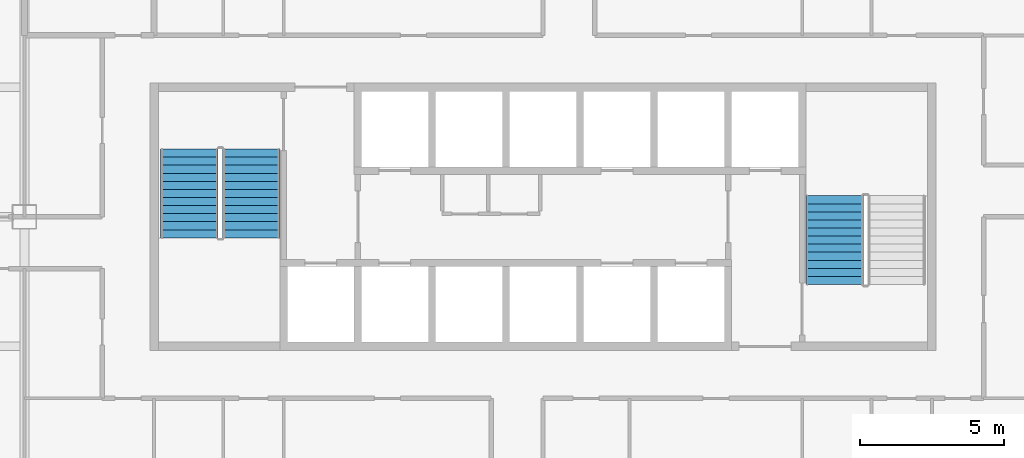
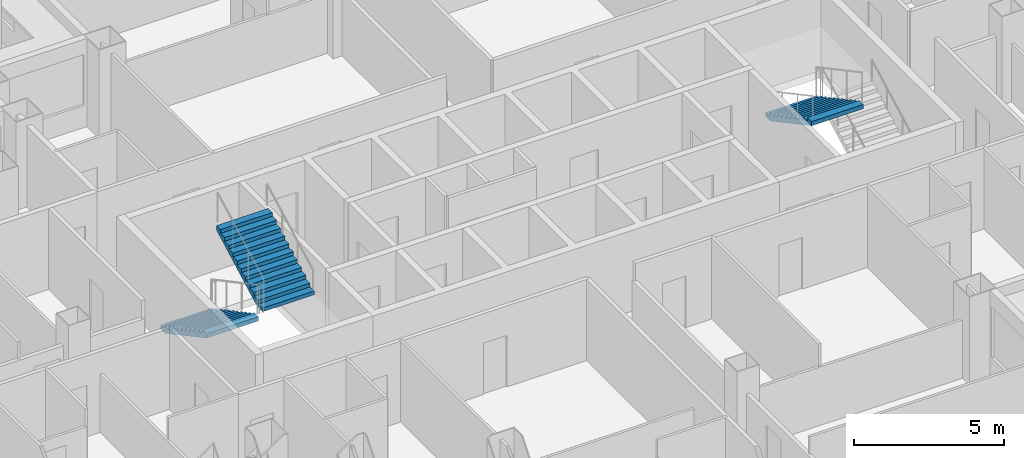
# One storey, part 11 of 19: 3 stair flights, 2 elements without a shape of their own.
"""IFC4 building model written with IfcOpenShell, lengths in metres."""

from ifc_helpers import new_model, si_unit, direction, frame, origin, place, context, subcontext, project, spatial, polygons, material, type_object, element, aggregate, save


model = new_model("IFC4")

# Units and contexts
model_context = context("Model", 3, precision=1e-05, world=origin(), true_north=direction((0.0, 1.0)))
body_context = subcontext(model_context, "Body", "Model", "MODEL_VIEW")
ifc_project = project(units=[si_unit("LENGTHUNIT", "METRE"), si_unit("AREAUNIT", "SQUARE_METRE"), si_unit("VOLUMEUNIT", "CUBIC_METRE"), si_unit("PLANEANGLEUNIT", "RADIAN"), si_unit("MASSUNIT", "GRAM", prefix="KILO")], contexts=[model_context])

# Site, building, storey
site_placement = place(None, origin())
site = spatial("IfcSite", under=ifc_project, at=site_placement, CompositionType="ELEMENT")
building_placement = place(site_placement, origin())
building = spatial("IfcBuilding", under=site, at=building_placement, Name="Caravel Reach Hotel and Residences", CompositionType="ELEMENT")
storey_placement = place(building_placement, frame((0.0, 0.0, 52.800048828125)))
storey = spatial("IfcBuildingStorey", under=building, at=storey_placement, Name="L11", CompositionType="ELEMENT", Elevation=52.800048828125)

# Stair, stair flights
ifc_material_1 = material(Name="Concrete C40", Category="concrete")
stair_type = type_object("IfcStairType", Name="Core stair", PredefinedType="HALF_TURN_STAIR", material=ifc_material_1)
stair_1_placement = place(storey_placement, origin())
stair_1 = element("IfcStair", 1, at=stair_1_placement, inside=storey, type_object=stair_type, Name="L11 Exit stair A", PredefinedType="HALF_TURN_STAIR")
ifc_material_2 = material(Name="Concrete C40", Category="concrete")
stair_flight_type = type_object("IfcStairFlightType", Name="Core stair flight", PredefinedType="STRAIGHT", material=ifc_material_2)
stair_flight_1_placement = place(storey_placement, frame((19.22509765625, 29.35009765625, 0.0), z_axis=(0.0, 0.0, 1.0), x_axis=(0.0, -1.0, 0.0)))
stair_flight_1 = element("IfcStairFlight", 2, at=stair_flight_1_placement, type_object=stair_flight_type, Name="ST-A flight 1", NumberOfRisers=12, NumberOfTreads=11, PredefinedType="STRAIGHT", RiserHeight=0.15, TreadLength=0.28, context=body_context, shape_type="Tessellation", body=[
    polygons([(0.3174408016601862, 1.0, 0.0), (0.3174408016601862, 0.6666666666666667, 0.0), (0.3174408016601862, 0.33333333333333337, 0.0), (0.3174408016601862, 0.0, 0.0), (0.3174408016601862, -0.33333333333333326, 0.0), (0.3174408016601862, -0.6666666666666667, 0.0), (0.3174408016601862, -1.0, 0.0), (3.081, 1.0, 1.479942427682043), (3.081, 0.6666666666666667, 1.479942427682043), (3.081, 0.33333333333333337, 1.479942427682043), (3.081, 0.0, 1.479942427682043), (3.081, -0.33333333333333326, 1.479942427682043), (3.081, -0.6666666666666667, 1.479942427682043), (3.081, -1.0, 1.479942427682043), (3.081, 1.0, 1.65), (3.081, 0.6666666666666667, 1.65), (3.081, 0.33333333333333337, 1.65), (3.081, 0.0, 1.65), (3.081, -0.33333333333333326, 1.65), (3.081, -0.6666666666666667, 1.65), (3.081, -1.0, 1.65), (2.8000000000000003, 1.0, 1.65), (2.8000000000000003, 0.6666666666666667, 1.65), (2.8000000000000003, 0.33333333333333337, 1.65), (2.8000000000000003, 0.0, 1.65), (2.8000000000000003, -0.33333333333333326, 1.65), (2.8000000000000003, -0.6666666666666667, 1.65), (2.8000000000000003, -1.0, 1.65), (2.8000000000000003, 1.0, 1.5), (2.8000000000000003, 0.6666666666666667, 1.5), (2.8000000000000003, 0.33333333333333337, 1.5), (2.8000000000000003, 0.0, 1.5), (2.8000000000000003, -0.33333333333333326, 1.5), (2.8000000000000003, -0.6666666666666667, 1.5), (2.8000000000000003, -1.0, 1.5), (2.5200000000000005, 1.0, 1.5), (2.5200000000000005, 0.6666666666666667, 1.5), (2.5200000000000005, 0.33333333333333337, 1.5), (2.5200000000000005, 0.0, 1.5), (2.5200000000000005, -0.33333333333333326, 1.5), (2.5200000000000005, -0.6666666666666667, 1.5), (2.5200000000000005, -1.0, 1.5), (2.5200000000000005, 1.0, 1.3499999999999999), (2.5200000000000005, 0.6666666666666667, 1.3499999999999999), (2.5200000000000005, 0.33333333333333337, 1.3499999999999999), (2.5200000000000005, 0.0, 1.3499999999999999), (2.5200000000000005, -0.33333333333333326, 1.3499999999999999), (2.5200000000000005, -0.6666666666666667, 1.3499999999999999), (2.5200000000000005, -1.0, 1.3499999999999999), (2.24, 1.0, 1.3499999999999999), (2.24, 0.6666666666666667, 1.3499999999999999), (2.24, 0.33333333333333337, 1.3499999999999999), (2.24, 0.0, 1.3499999999999999), (2.24, -0.33333333333333326, 1.3499999999999999), (2.24, -0.6666666666666667, 1.3499999999999999), (2.24, -1.0, 1.3499999999999999), (2.24, 1.0, 1.2), (2.24, 0.6666666666666667, 1.2), (2.24, 0.33333333333333337, 1.2), (2.24, 0.0, 1.2), (2.24, -0.33333333333333326, 1.2), (2.24, -0.6666666666666667, 1.2), (2.24, -1.0, 1.2), (1.9600000000000002, 1.0, 1.2), (1.9600000000000002, 0.6666666666666667, 1.2), (1.9600000000000002, 0.33333333333333337, 1.2), (1.9600000000000002, 0.0, 1.2), (1.9600000000000002, -0.33333333333333326, 1.2), (1.9600000000000002, -0.6666666666666667, 1.2), (1.9600000000000002, -1.0, 1.2), (1.9600000000000002, 1.0, 1.05), (1.9600000000000002, 0.6666666666666667, 1.05), (1.9600000000000002, 0.33333333333333337, 1.05), (1.9600000000000002, 0.0, 1.05), (1.9600000000000002, -0.33333333333333326, 1.05), (1.9600000000000002, -0.6666666666666667, 1.05), (1.9600000000000002, -1.0, 1.05), (1.6800000000000002, 1.0, 1.05), (1.6800000000000002, 0.6666666666666667, 1.05), (1.6800000000000002, 0.33333333333333337, 1.05), (1.6800000000000002, 0.0, 1.05), (1.6800000000000002, -0.33333333333333326, 1.05), (1.6800000000000002, -0.6666666666666667, 1.05), (1.6800000000000002, -1.0, 1.05), (1.6800000000000002, 1.0, 0.8999999999999999), (1.6800000000000002, 0.6666666666666667, 0.8999999999999999), (1.6800000000000002, 0.33333333333333337, 0.8999999999999999), (1.6800000000000002, 0.0, 0.8999999999999999), (1.6800000000000002, -0.33333333333333326, 0.8999999999999999), (1.6800000000000002, -0.6666666666666667, 0.8999999999999999), (1.6800000000000002, -1.0, 0.8999999999999999), (1.4000000000000001, 1.0, 0.8999999999999999), (1.4000000000000001, 0.6666666666666667, 0.8999999999999999), (1.4000000000000001, 0.33333333333333337, 0.8999999999999999), (1.4000000000000001, 0.0, 0.8999999999999999), (1.4000000000000001, -0.33333333333333326, 0.8999999999999999), (1.4000000000000001, -0.6666666666666667, 0.8999999999999999), (1.4000000000000001, -1.0, 0.8999999999999999), (1.4000000000000001, 1.0, 0.75), (1.4000000000000001, 0.6666666666666667, 0.75), (1.4000000000000001, 0.33333333333333337, 0.75), (1.4000000000000001, 0.0, 0.75), (1.4000000000000001, -0.33333333333333326, 0.75), (1.4000000000000001, -0.6666666666666667, 0.75), (1.4000000000000001, -1.0, 0.75), (1.12, 1.0, 0.75), (1.12, 0.6666666666666667, 0.75), (1.12, 0.33333333333333337, 0.75), (1.12, 0.0, 0.75), (1.12, -0.33333333333333326, 0.75), (1.12, -0.6666666666666667, 0.75), (1.12, -1.0, 0.75), (1.12, 1.0, 0.6), (1.12, 0.6666666666666667, 0.6), (1.12, 0.33333333333333337, 0.6), (1.12, 0.0, 0.6), (1.12, -0.33333333333333326, 0.6), (1.12, -0.6666666666666667, 0.6), (1.12, -1.0, 0.6), (0.8400000000000001, 1.0, 0.6), (0.8400000000000001, 0.6666666666666667, 0.6), (0.8400000000000001, 0.33333333333333337, 0.6), (0.8400000000000001, 0.0, 0.6), (0.8400000000000001, -0.33333333333333326, 0.6), (0.8400000000000001, -0.6666666666666667, 0.6), (0.8400000000000001, -1.0, 0.6), (0.8400000000000001, 1.0, 0.44999999999999996), (0.8400000000000001, 0.6666666666666667, 0.44999999999999996), (0.8400000000000001, 0.33333333333333337, 0.44999999999999996), (0.8400000000000001, 0.0, 0.44999999999999996), (0.8400000000000001, -0.33333333333333326, 0.44999999999999996), (0.8400000000000001, -0.6666666666666667, 0.44999999999999996), (0.8400000000000001, -1.0, 0.44999999999999996), (0.56, 1.0, 0.44999999999999996), (0.56, 0.6666666666666667, 0.44999999999999996), (0.56, 0.33333333333333337, 0.44999999999999996), (0.56, 0.0, 0.44999999999999996), (0.56, -0.33333333333333326, 0.44999999999999996), (0.56, -0.6666666666666667, 0.44999999999999996), (0.56, -1.0, 0.44999999999999996), (0.56, 1.0, 0.3), (0.56, 0.6666666666666667, 0.3), (0.56, 0.33333333333333337, 0.3), (0.56, 0.0, 0.3), (0.56, -0.33333333333333326, 0.3), (0.56, -0.6666666666666667, 0.3), (0.56, -1.0, 0.3), (0.28, 1.0, 0.3), (0.28, 0.6666666666666667, 0.3), (0.28, 0.33333333333333337, 0.3), (0.28, 0.0, 0.3), (0.28, -0.33333333333333326, 0.3), (0.28, -0.6666666666666667, 0.3), (0.28, -1.0, 0.3), (0.28, 1.0, 0.15), (0.28, 0.6666666666666667, 0.15), (0.28, 0.33333333333333337, 0.15), (0.28, 0.0, 0.15), (0.28, -0.33333333333333326, 0.15), (0.28, -0.6666666666666667, 0.15), (0.28, -1.0, 0.15), (-0.001, 1.0, 0.15), (-0.001, 0.6666666666666667, 0.15), (-0.001, 0.33333333333333337, 0.15), (-0.001, 0.0, 0.15), (-0.001, -0.33333333333333326, 0.15), (-0.001, -0.6666666666666667, 0.15), (-0.001, -1.0, 0.15), (-0.001, 1.0, 0.0), (-0.001, 0.6666666666666667, 0.0), (-0.001, 0.33333333333333337, 0.0), (-0.001, 0.0, 0.0), (-0.001, -0.33333333333333326, 0.0), (-0.001, -0.6666666666666667, 0.0), (-0.001, -1.0, 0.0)], [[[169, 162, 155, 148, 141, 134, 127, 120, 113, 106, 99, 92, 85, 78, 71, 64, 57, 50, 43, 36, 29, 22, 15, 8, 1]], [[7, 14, 21, 28, 35, 42, 49, 56, 63, 70, 77, 84, 91, 98, 105, 112, 119, 126, 133, 140, 147, 154, 161, 168, 175]], [[1, 8, 9, 2]], [[2, 9, 10, 3]], [[3, 10, 11, 4]], [[4, 11, 12, 5]], [[5, 12, 13, 6]], [[6, 13, 14, 7]], [[8, 15, 16, 9]], [[9, 16, 17, 10]], [[10, 17, 18, 11]], [[11, 18, 19, 12]], [[12, 19, 20, 13]], [[13, 20, 21, 14]], [[15, 22, 23, 16]], [[16, 23, 24, 17]], [[17, 24, 25, 18]], [[18, 25, 26, 19]], [[19, 26, 27, 20]], [[20, 27, 28, 21]], [[22, 29, 30, 23]], [[23, 30, 31, 24]], [[24, 31, 32, 25]], [[25, 32, 33, 26]], [[26, 33, 34, 27]], [[27, 34, 35, 28]], [[29, 36, 37, 30]], [[30, 37, 38, 31]], [[31, 38, 39, 32]], [[32, 39, 40, 33]], [[33, 40, 41, 34]], [[34, 41, 42, 35]], [[36, 43, 44, 37]], [[37, 44, 45, 38]], [[38, 45, 46, 39]], [[39, 46, 47, 40]], [[40, 47, 48, 41]], [[41, 48, 49, 42]], [[43, 50, 51, 44]], [[44, 51, 52, 45]], [[45, 52, 53, 46]], [[46, 53, 54, 47]], [[47, 54, 55, 48]], [[48, 55, 56, 49]], [[50, 57, 58, 51]], [[51, 58, 59, 52]], [[52, 59, 60, 53]], [[53, 60, 61, 54]], [[54, 61, 62, 55]], [[55, 62, 63, 56]], [[57, 64, 65, 58]], [[58, 65, 66, 59]], [[59, 66, 67, 60]], [[60, 67, 68, 61]], [[61, 68, 69, 62]], [[62, 69, 70, 63]], [[64, 71, 72, 65]], [[65, 72, 73, 66]], [[66, 73, 74, 67]], [[67, 74, 75, 68]], [[68, 75, 76, 69]], [[69, 76, 77, 70]], [[71, 78, 79, 72]], [[72, 79, 80, 73]], [[73, 80, 81, 74]], [[74, 81, 82, 75]], [[75, 82, 83, 76]], [[76, 83, 84, 77]], [[78, 85, 86, 79]], [[79, 86, 87, 80]], [[80, 87, 88, 81]], [[81, 88, 89, 82]], [[82, 89, 90, 83]], [[83, 90, 91, 84]], [[85, 92, 93, 86]], [[86, 93, 94, 87]], [[87, 94, 95, 88]], [[88, 95, 96, 89]], [[89, 96, 97, 90]], [[90, 97, 98, 91]], [[92, 99, 100, 93]], [[93, 100, 101, 94]], [[94, 101, 102, 95]], [[95, 102, 103, 96]], [[96, 103, 104, 97]], [[97, 104, 105, 98]], [[99, 106, 107, 100]], [[100, 107, 108, 101]], [[101, 108, 109, 102]], [[102, 109, 110, 103]], [[103, 110, 111, 104]], [[104, 111, 112, 105]], [[106, 113, 114, 107]], [[107, 114, 115, 108]], [[108, 115, 116, 109]], [[109, 116, 117, 110]], [[110, 117, 118, 111]], [[111, 118, 119, 112]], [[113, 120, 121, 114]], [[114, 121, 122, 115]], [[115, 122, 123, 116]], [[116, 123, 124, 117]], [[117, 124, 125, 118]], [[118, 125, 126, 119]], [[120, 127, 128, 121]], [[121, 128, 129, 122]], [[122, 129, 130, 123]], [[123, 130, 131, 124]], [[124, 131, 132, 125]], [[125, 132, 133, 126]], [[127, 134, 135, 128]], [[128, 135, 136, 129]], [[129, 136, 137, 130]], [[130, 137, 138, 131]], [[131, 138, 139, 132]], [[132, 139, 140, 133]], [[134, 141, 142, 135]], [[135, 142, 143, 136]], [[136, 143, 144, 137]], [[137, 144, 145, 138]], [[138, 145, 146, 139]], [[139, 146, 147, 140]], [[141, 148, 149, 142]], [[142, 149, 150, 143]], [[143, 150, 151, 144]], [[144, 151, 152, 145]], [[145, 152, 153, 146]], [[146, 153, 154, 147]], [[148, 155, 156, 149]], [[149, 156, 157, 150]], [[150, 157, 158, 151]], [[151, 158, 159, 152]], [[152, 159, 160, 153]], [[153, 160, 161, 154]], [[155, 162, 163, 156]], [[156, 163, 164, 157]], [[157, 164, 165, 158]], [[158, 165, 166, 159]], [[159, 166, 167, 160]], [[160, 167, 168, 161]], [[162, 169, 170, 163]], [[163, 170, 171, 164]], [[164, 171, 172, 165]], [[165, 172, 173, 166]], [[166, 173, 174, 167]], [[167, 174, 175, 168]], [[169, 1, 2, 170]], [[170, 2, 3, 171]], [[171, 3, 4, 172]], [[172, 4, 5, 173]], [[173, 5, 6, 174]], [[174, 6, 7, 175]]], closed=True),
])
stair_flight_2_placement = place(storey_placement, frame((21.375, 26.27001953125, 1.800048828125), z_axis=(0.0, 0.0, 1.0), x_axis=(0.0, 1.0, 0.0)))
stair_flight_2 = element("IfcStairFlight", 3, at=stair_flight_2_placement, type_object=stair_flight_type, Name="ST-A flight 2", NumberOfRisers=12, NumberOfTreads=11, PredefinedType="STRAIGHT", RiserHeight=0.15, TreadLength=0.28, context=body_context, shape_type="Tessellation", body=[
    polygons([(0.3174408016601862, 1.0, 0.0), (0.3174408016601862, 0.6666666666666667, 0.0), (0.3174408016601862, 0.33333333333333337, 0.0), (0.3174408016601862, 0.0, 0.0), (0.3174408016601862, -0.33333333333333326, 0.0), (0.3174408016601862, -0.6666666666666667, 0.0), (0.3174408016601862, -1.0, 0.0), (3.081, 1.0, 1.479942427682043), (3.081, 0.6666666666666667, 1.479942427682043), (3.081, 0.33333333333333337, 1.479942427682043), (3.081, 0.0, 1.479942427682043), (3.081, -0.33333333333333326, 1.479942427682043), (3.081, -0.6666666666666667, 1.479942427682043), (3.081, -1.0, 1.479942427682043), (3.081, 1.0, 1.65), (3.081, 0.6666666666666667, 1.65), (3.081, 0.33333333333333337, 1.65), (3.081, 0.0, 1.65), (3.081, -0.33333333333333326, 1.65), (3.081, -0.6666666666666667, 1.65), (3.081, -1.0, 1.65), (2.8000000000000003, 1.0, 1.65), (2.8000000000000003, 0.6666666666666667, 1.65), (2.8000000000000003, 0.33333333333333337, 1.65), (2.8000000000000003, 0.0, 1.65), (2.8000000000000003, -0.33333333333333326, 1.65), (2.8000000000000003, -0.6666666666666667, 1.65), (2.8000000000000003, -1.0, 1.65), (2.8000000000000003, 1.0, 1.5), (2.8000000000000003, 0.6666666666666667, 1.5), (2.8000000000000003, 0.33333333333333337, 1.5), (2.8000000000000003, 0.0, 1.5), (2.8000000000000003, -0.33333333333333326, 1.5), (2.8000000000000003, -0.6666666666666667, 1.5), (2.8000000000000003, -1.0, 1.5), (2.5200000000000005, 1.0, 1.5), (2.5200000000000005, 0.6666666666666667, 1.5), (2.5200000000000005, 0.33333333333333337, 1.5), (2.5200000000000005, 0.0, 1.5), (2.5200000000000005, -0.33333333333333326, 1.5), (2.5200000000000005, -0.6666666666666667, 1.5), (2.5200000000000005, -1.0, 1.5), (2.5200000000000005, 1.0, 1.3499999999999999), (2.5200000000000005, 0.6666666666666667, 1.3499999999999999), (2.5200000000000005, 0.33333333333333337, 1.3499999999999999), (2.5200000000000005, 0.0, 1.3499999999999999), (2.5200000000000005, -0.33333333333333326, 1.3499999999999999), (2.5200000000000005, -0.6666666666666667, 1.3499999999999999), (2.5200000000000005, -1.0, 1.3499999999999999), (2.24, 1.0, 1.3499999999999999), (2.24, 0.6666666666666667, 1.3499999999999999), (2.24, 0.33333333333333337, 1.3499999999999999), (2.24, 0.0, 1.3499999999999999), (2.24, -0.33333333333333326, 1.3499999999999999), (2.24, -0.6666666666666667, 1.3499999999999999), (2.24, -1.0, 1.3499999999999999), (2.24, 1.0, 1.2), (2.24, 0.6666666666666667, 1.2), (2.24, 0.33333333333333337, 1.2), (2.24, 0.0, 1.2), (2.24, -0.33333333333333326, 1.2), (2.24, -0.6666666666666667, 1.2), (2.24, -1.0, 1.2), (1.9600000000000002, 1.0, 1.2), (1.9600000000000002, 0.6666666666666667, 1.2), (1.9600000000000002, 0.33333333333333337, 1.2), (1.9600000000000002, 0.0, 1.2), (1.9600000000000002, -0.33333333333333326, 1.2), (1.9600000000000002, -0.6666666666666667, 1.2), (1.9600000000000002, -1.0, 1.2), (1.9600000000000002, 1.0, 1.05), (1.9600000000000002, 0.6666666666666667, 1.05), (1.9600000000000002, 0.33333333333333337, 1.05), (1.9600000000000002, 0.0, 1.05), (1.9600000000000002, -0.33333333333333326, 1.05), (1.9600000000000002, -0.6666666666666667, 1.05), (1.9600000000000002, -1.0, 1.05), (1.6800000000000002, 1.0, 1.05), (1.6800000000000002, 0.6666666666666667, 1.05), (1.6800000000000002, 0.33333333333333337, 1.05), (1.6800000000000002, 0.0, 1.05), (1.6800000000000002, -0.33333333333333326, 1.05), (1.6800000000000002, -0.6666666666666667, 1.05), (1.6800000000000002, -1.0, 1.05), (1.6800000000000002, 1.0, 0.8999999999999999), (1.6800000000000002, 0.6666666666666667, 0.8999999999999999), (1.6800000000000002, 0.33333333333333337, 0.8999999999999999), (1.6800000000000002, 0.0, 0.8999999999999999), (1.6800000000000002, -0.33333333333333326, 0.8999999999999999), (1.6800000000000002, -0.6666666666666667, 0.8999999999999999), (1.6800000000000002, -1.0, 0.8999999999999999), (1.4000000000000001, 1.0, 0.8999999999999999), (1.4000000000000001, 0.6666666666666667, 0.8999999999999999), (1.4000000000000001, 0.33333333333333337, 0.8999999999999999), (1.4000000000000001, 0.0, 0.8999999999999999), (1.4000000000000001, -0.33333333333333326, 0.8999999999999999), (1.4000000000000001, -0.6666666666666667, 0.8999999999999999), (1.4000000000000001, -1.0, 0.8999999999999999), (1.4000000000000001, 1.0, 0.75), (1.4000000000000001, 0.6666666666666667, 0.75), (1.4000000000000001, 0.33333333333333337, 0.75), (1.4000000000000001, 0.0, 0.75), (1.4000000000000001, -0.33333333333333326, 0.75), (1.4000000000000001, -0.6666666666666667, 0.75), (1.4000000000000001, -1.0, 0.75), (1.12, 1.0, 0.75), (1.12, 0.6666666666666667, 0.75), (1.12, 0.33333333333333337, 0.75), (1.12, 0.0, 0.75), (1.12, -0.33333333333333326, 0.75), (1.12, -0.6666666666666667, 0.75), (1.12, -1.0, 0.75), (1.12, 1.0, 0.6), (1.12, 0.6666666666666667, 0.6), (1.12, 0.33333333333333337, 0.6), (1.12, 0.0, 0.6), (1.12, -0.33333333333333326, 0.6), (1.12, -0.6666666666666667, 0.6), (1.12, -1.0, 0.6), (0.8400000000000001, 1.0, 0.6), (0.8400000000000001, 0.6666666666666667, 0.6), (0.8400000000000001, 0.33333333333333337, 0.6), (0.8400000000000001, 0.0, 0.6), (0.8400000000000001, -0.33333333333333326, 0.6), (0.8400000000000001, -0.6666666666666667, 0.6), (0.8400000000000001, -1.0, 0.6), (0.8400000000000001, 1.0, 0.44999999999999996), (0.8400000000000001, 0.6666666666666667, 0.44999999999999996), (0.8400000000000001, 0.33333333333333337, 0.44999999999999996), (0.8400000000000001, 0.0, 0.44999999999999996), (0.8400000000000001, -0.33333333333333326, 0.44999999999999996), (0.8400000000000001, -0.6666666666666667, 0.44999999999999996), (0.8400000000000001, -1.0, 0.44999999999999996), (0.56, 1.0, 0.44999999999999996), (0.56, 0.6666666666666667, 0.44999999999999996), (0.56, 0.33333333333333337, 0.44999999999999996), (0.56, 0.0, 0.44999999999999996), (0.56, -0.33333333333333326, 0.44999999999999996), (0.56, -0.6666666666666667, 0.44999999999999996), (0.56, -1.0, 0.44999999999999996), (0.56, 1.0, 0.3), (0.56, 0.6666666666666667, 0.3), (0.56, 0.33333333333333337, 0.3), (0.56, 0.0, 0.3), (0.56, -0.33333333333333326, 0.3), (0.56, -0.6666666666666667, 0.3), (0.56, -1.0, 0.3), (0.28, 1.0, 0.3), (0.28, 0.6666666666666667, 0.3), (0.28, 0.33333333333333337, 0.3), (0.28, 0.0, 0.3), (0.28, -0.33333333333333326, 0.3), (0.28, -0.6666666666666667, 0.3), (0.28, -1.0, 0.3), (0.28, 1.0, 0.15), (0.28, 0.6666666666666667, 0.15), (0.28, 0.33333333333333337, 0.15), (0.28, 0.0, 0.15), (0.28, -0.33333333333333326, 0.15), (0.28, -0.6666666666666667, 0.15), (0.28, -1.0, 0.15), (-0.001, 1.0, 0.15), (-0.001, 0.6666666666666667, 0.15), (-0.001, 0.33333333333333337, 0.15), (-0.001, 0.0, 0.15), (-0.001, -0.33333333333333326, 0.15), (-0.001, -0.6666666666666667, 0.15), (-0.001, -1.0, 0.15), (-0.001, 1.0, 0.0), (-0.001, 0.6666666666666667, 0.0), (-0.001, 0.33333333333333337, 0.0), (-0.001, 0.0, 0.0), (-0.001, -0.33333333333333326, 0.0), (-0.001, -0.6666666666666667, 0.0), (-0.001, -1.0, 0.0)], [[[169, 162, 155, 148, 141, 134, 127, 120, 113, 106, 99, 92, 85, 78, 71, 64, 57, 50, 43, 36, 29, 22, 15, 8, 1]], [[7, 14, 21, 28, 35, 42, 49, 56, 63, 70, 77, 84, 91, 98, 105, 112, 119, 126, 133, 140, 147, 154, 161, 168, 175]], [[1, 8, 9, 2]], [[2, 9, 10, 3]], [[3, 10, 11, 4]], [[4, 11, 12, 5]], [[5, 12, 13, 6]], [[6, 13, 14, 7]], [[8, 15, 16, 9]], [[9, 16, 17, 10]], [[10, 17, 18, 11]], [[11, 18, 19, 12]], [[12, 19, 20, 13]], [[13, 20, 21, 14]], [[15, 22, 23, 16]], [[16, 23, 24, 17]], [[17, 24, 25, 18]], [[18, 25, 26, 19]], [[19, 26, 27, 20]], [[20, 27, 28, 21]], [[22, 29, 30, 23]], [[23, 30, 31, 24]], [[24, 31, 32, 25]], [[25, 32, 33, 26]], [[26, 33, 34, 27]], [[27, 34, 35, 28]], [[29, 36, 37, 30]], [[30, 37, 38, 31]], [[31, 38, 39, 32]], [[32, 39, 40, 33]], [[33, 40, 41, 34]], [[34, 41, 42, 35]], [[36, 43, 44, 37]], [[37, 44, 45, 38]], [[38, 45, 46, 39]], [[39, 46, 47, 40]], [[40, 47, 48, 41]], [[41, 48, 49, 42]], [[43, 50, 51, 44]], [[44, 51, 52, 45]], [[45, 52, 53, 46]], [[46, 53, 54, 47]], [[47, 54, 55, 48]], [[48, 55, 56, 49]], [[50, 57, 58, 51]], [[51, 58, 59, 52]], [[52, 59, 60, 53]], [[53, 60, 61, 54]], [[54, 61, 62, 55]], [[55, 62, 63, 56]], [[57, 64, 65, 58]], [[58, 65, 66, 59]], [[59, 66, 67, 60]], [[60, 67, 68, 61]], [[61, 68, 69, 62]], [[62, 69, 70, 63]], [[64, 71, 72, 65]], [[65, 72, 73, 66]], [[66, 73, 74, 67]], [[67, 74, 75, 68]], [[68, 75, 76, 69]], [[69, 76, 77, 70]], [[71, 78, 79, 72]], [[72, 79, 80, 73]], [[73, 80, 81, 74]], [[74, 81, 82, 75]], [[75, 82, 83, 76]], [[76, 83, 84, 77]], [[78, 85, 86, 79]], [[79, 86, 87, 80]], [[80, 87, 88, 81]], [[81, 88, 89, 82]], [[82, 89, 90, 83]], [[83, 90, 91, 84]], [[85, 92, 93, 86]], [[86, 93, 94, 87]], [[87, 94, 95, 88]], [[88, 95, 96, 89]], [[89, 96, 97, 90]], [[90, 97, 98, 91]], [[92, 99, 100, 93]], [[93, 100, 101, 94]], [[94, 101, 102, 95]], [[95, 102, 103, 96]], [[96, 103, 104, 97]], [[97, 104, 105, 98]], [[99, 106, 107, 100]], [[100, 107, 108, 101]], [[101, 108, 109, 102]], [[102, 109, 110, 103]], [[103, 110, 111, 104]], [[104, 111, 112, 105]], [[106, 113, 114, 107]], [[107, 114, 115, 108]], [[108, 115, 116, 109]], [[109, 116, 117, 110]], [[110, 117, 118, 111]], [[111, 118, 119, 112]], [[113, 120, 121, 114]], [[114, 121, 122, 115]], [[115, 122, 123, 116]], [[116, 123, 124, 117]], [[117, 124, 125, 118]], [[118, 125, 126, 119]], [[120, 127, 128, 121]], [[121, 128, 129, 122]], [[122, 129, 130, 123]], [[123, 130, 131, 124]], [[124, 131, 132, 125]], [[125, 132, 133, 126]], [[127, 134, 135, 128]], [[128, 135, 136, 129]], [[129, 136, 137, 130]], [[130, 137, 138, 131]], [[131, 138, 139, 132]], [[132, 139, 140, 133]], [[134, 141, 142, 135]], [[135, 142, 143, 136]], [[136, 143, 144, 137]], [[137, 144, 145, 138]], [[138, 145, 146, 139]], [[139, 146, 147, 140]], [[141, 148, 149, 142]], [[142, 149, 150, 143]], [[143, 150, 151, 144]], [[144, 151, 152, 145]], [[145, 152, 153, 146]], [[146, 153, 154, 147]], [[148, 155, 156, 149]], [[149, 156, 157, 150]], [[150, 157, 158, 151]], [[151, 158, 159, 152]], [[152, 159, 160, 153]], [[153, 160, 161, 154]], [[155, 162, 163, 156]], [[156, 163, 164, 157]], [[157, 164, 165, 158]], [[158, 165, 166, 159]], [[159, 166, 167, 160]], [[160, 167, 168, 161]], [[162, 169, 170, 163]], [[163, 170, 171, 164]], [[164, 171, 172, 165]], [[165, 172, 173, 166]], [[166, 173, 174, 167]], [[167, 174, 175, 168]], [[169, 1, 2, 170]], [[170, 2, 3, 171]], [[171, 3, 4, 172]], [[172, 4, 5, 173]], [[173, 5, 6, 174]], [[174, 6, 7, 175]]], closed=True),
])
aggregate(stair_1, [stair_flight_1, stair_flight_2])

# Stair, stair flight
stair_2_placement = place(storey_placement, origin())
stair_2 = element("IfcStair", 4, at=stair_2_placement, inside=storey, type_object=stair_type, Name="L11 Exit stair B", PredefinedType="HALF_TURN_STAIR")
stair_flight_3_placement = place(storey_placement, frame((41.625, 27.72998046875, 1.800048828125), z_axis=(0.0, 0.0, 1.0), x_axis=(0.0, -1.0, 0.0)))
stair_flight_3 = element("IfcStairFlight", 5, at=stair_flight_3_placement, type_object=stair_flight_type, Name="ST-B flight 2", NumberOfRisers=12, NumberOfTreads=11, PredefinedType="STRAIGHT", RiserHeight=0.15, TreadLength=0.28, context=body_context, shape_type="Tessellation", body=[
    polygons([(0.3174408016601862, 1.0, 0.0), (0.3174408016601862, 0.6666666666666667, 0.0), (0.3174408016601862, 0.33333333333333337, 0.0), (0.3174408016601862, 0.0, 0.0), (0.3174408016601862, -0.33333333333333326, 0.0), (0.3174408016601862, -0.6666666666666667, 0.0), (0.3174408016601862, -1.0, 0.0), (3.081, 1.0, 1.479942427682043), (3.081, 0.6666666666666667, 1.479942427682043), (3.081, 0.33333333333333337, 1.479942427682043), (3.081, 0.0, 1.479942427682043), (3.081, -0.33333333333333326, 1.479942427682043), (3.081, -0.6666666666666667, 1.479942427682043), (3.081, -1.0, 1.479942427682043), (3.081, 1.0, 1.65), (3.081, 0.6666666666666667, 1.65), (3.081, 0.33333333333333337, 1.65), (3.081, 0.0, 1.65), (3.081, -0.33333333333333326, 1.65), (3.081, -0.6666666666666667, 1.65), (3.081, -1.0, 1.65), (2.8000000000000003, 1.0, 1.65), (2.8000000000000003, 0.6666666666666667, 1.65), (2.8000000000000003, 0.33333333333333337, 1.65), (2.8000000000000003, 0.0, 1.65), (2.8000000000000003, -0.33333333333333326, 1.65), (2.8000000000000003, -0.6666666666666667, 1.65), (2.8000000000000003, -1.0, 1.65), (2.8000000000000003, 1.0, 1.5), (2.8000000000000003, 0.6666666666666667, 1.5), (2.8000000000000003, 0.33333333333333337, 1.5), (2.8000000000000003, 0.0, 1.5), (2.8000000000000003, -0.33333333333333326, 1.5), (2.8000000000000003, -0.6666666666666667, 1.5), (2.8000000000000003, -1.0, 1.5), (2.5200000000000005, 1.0, 1.5), (2.5200000000000005, 0.6666666666666667, 1.5), (2.5200000000000005, 0.33333333333333337, 1.5), (2.5200000000000005, 0.0, 1.5), (2.5200000000000005, -0.33333333333333326, 1.5), (2.5200000000000005, -0.6666666666666667, 1.5), (2.5200000000000005, -1.0, 1.5), (2.5200000000000005, 1.0, 1.3499999999999999), (2.5200000000000005, 0.6666666666666667, 1.3499999999999999), (2.5200000000000005, 0.33333333333333337, 1.3499999999999999), (2.5200000000000005, 0.0, 1.3499999999999999), (2.5200000000000005, -0.33333333333333326, 1.3499999999999999), (2.5200000000000005, -0.6666666666666667, 1.3499999999999999), (2.5200000000000005, -1.0, 1.3499999999999999), (2.24, 1.0, 1.3499999999999999), (2.24, 0.6666666666666667, 1.3499999999999999), (2.24, 0.33333333333333337, 1.3499999999999999), (2.24, 0.0, 1.3499999999999999), (2.24, -0.33333333333333326, 1.3499999999999999), (2.24, -0.6666666666666667, 1.3499999999999999), (2.24, -1.0, 1.3499999999999999), (2.24, 1.0, 1.2), (2.24, 0.6666666666666667, 1.2), (2.24, 0.33333333333333337, 1.2), (2.24, 0.0, 1.2), (2.24, -0.33333333333333326, 1.2), (2.24, -0.6666666666666667, 1.2), (2.24, -1.0, 1.2), (1.9600000000000002, 1.0, 1.2), (1.9600000000000002, 0.6666666666666667, 1.2), (1.9600000000000002, 0.33333333333333337, 1.2), (1.9600000000000002, 0.0, 1.2), (1.9600000000000002, -0.33333333333333326, 1.2), (1.9600000000000002, -0.6666666666666667, 1.2), (1.9600000000000002, -1.0, 1.2), (1.9600000000000002, 1.0, 1.05), (1.9600000000000002, 0.6666666666666667, 1.05), (1.9600000000000002, 0.33333333333333337, 1.05), (1.9600000000000002, 0.0, 1.05), (1.9600000000000002, -0.33333333333333326, 1.05), (1.9600000000000002, -0.6666666666666667, 1.05), (1.9600000000000002, -1.0, 1.05), (1.6800000000000002, 1.0, 1.05), (1.6800000000000002, 0.6666666666666667, 1.05), (1.6800000000000002, 0.33333333333333337, 1.05), (1.6800000000000002, 0.0, 1.05), (1.6800000000000002, -0.33333333333333326, 1.05), (1.6800000000000002, -0.6666666666666667, 1.05), (1.6800000000000002, -1.0, 1.05), (1.6800000000000002, 1.0, 0.8999999999999999), (1.6800000000000002, 0.6666666666666667, 0.8999999999999999), (1.6800000000000002, 0.33333333333333337, 0.8999999999999999), (1.6800000000000002, 0.0, 0.8999999999999999), (1.6800000000000002, -0.33333333333333326, 0.8999999999999999), (1.6800000000000002, -0.6666666666666667, 0.8999999999999999), (1.6800000000000002, -1.0, 0.8999999999999999), (1.4000000000000001, 1.0, 0.8999999999999999), (1.4000000000000001, 0.6666666666666667, 0.8999999999999999), (1.4000000000000001, 0.33333333333333337, 0.8999999999999999), (1.4000000000000001, 0.0, 0.8999999999999999), (1.4000000000000001, -0.33333333333333326, 0.8999999999999999), (1.4000000000000001, -0.6666666666666667, 0.8999999999999999), (1.4000000000000001, -1.0, 0.8999999999999999), (1.4000000000000001, 1.0, 0.75), (1.4000000000000001, 0.6666666666666667, 0.75), (1.4000000000000001, 0.33333333333333337, 0.75), (1.4000000000000001, 0.0, 0.75), (1.4000000000000001, -0.33333333333333326, 0.75), (1.4000000000000001, -0.6666666666666667, 0.75), (1.4000000000000001, -1.0, 0.75), (1.12, 1.0, 0.75), (1.12, 0.6666666666666667, 0.75), (1.12, 0.33333333333333337, 0.75), (1.12, 0.0, 0.75), (1.12, -0.33333333333333326, 0.75), (1.12, -0.6666666666666667, 0.75), (1.12, -1.0, 0.75), (1.12, 1.0, 0.6), (1.12, 0.6666666666666667, 0.6), (1.12, 0.33333333333333337, 0.6), (1.12, 0.0, 0.6), (1.12, -0.33333333333333326, 0.6), (1.12, -0.6666666666666667, 0.6), (1.12, -1.0, 0.6), (0.8400000000000001, 1.0, 0.6), (0.8400000000000001, 0.6666666666666667, 0.6), (0.8400000000000001, 0.33333333333333337, 0.6), (0.8400000000000001, 0.0, 0.6), (0.8400000000000001, -0.33333333333333326, 0.6), (0.8400000000000001, -0.6666666666666667, 0.6), (0.8400000000000001, -1.0, 0.6), (0.8400000000000001, 1.0, 0.44999999999999996), (0.8400000000000001, 0.6666666666666667, 0.44999999999999996), (0.8400000000000001, 0.33333333333333337, 0.44999999999999996), (0.8400000000000001, 0.0, 0.44999999999999996), (0.8400000000000001, -0.33333333333333326, 0.44999999999999996), (0.8400000000000001, -0.6666666666666667, 0.44999999999999996), (0.8400000000000001, -1.0, 0.44999999999999996), (0.56, 1.0, 0.44999999999999996), (0.56, 0.6666666666666667, 0.44999999999999996), (0.56, 0.33333333333333337, 0.44999999999999996), (0.56, 0.0, 0.44999999999999996), (0.56, -0.33333333333333326, 0.44999999999999996), (0.56, -0.6666666666666667, 0.44999999999999996), (0.56, -1.0, 0.44999999999999996), (0.56, 1.0, 0.3), (0.56, 0.6666666666666667, 0.3), (0.56, 0.33333333333333337, 0.3), (0.56, 0.0, 0.3), (0.56, -0.33333333333333326, 0.3), (0.56, -0.6666666666666667, 0.3), (0.56, -1.0, 0.3), (0.28, 1.0, 0.3), (0.28, 0.6666666666666667, 0.3), (0.28, 0.33333333333333337, 0.3), (0.28, 0.0, 0.3), (0.28, -0.33333333333333326, 0.3), (0.28, -0.6666666666666667, 0.3), (0.28, -1.0, 0.3), (0.28, 1.0, 0.15), (0.28, 0.6666666666666667, 0.15), (0.28, 0.33333333333333337, 0.15), (0.28, 0.0, 0.15), (0.28, -0.33333333333333326, 0.15), (0.28, -0.6666666666666667, 0.15), (0.28, -1.0, 0.15), (-0.001, 1.0, 0.15), (-0.001, 0.6666666666666667, 0.15), (-0.001, 0.33333333333333337, 0.15), (-0.001, 0.0, 0.15), (-0.001, -0.33333333333333326, 0.15), (-0.001, -0.6666666666666667, 0.15), (-0.001, -1.0, 0.15), (-0.001, 1.0, 0.0), (-0.001, 0.6666666666666667, 0.0), (-0.001, 0.33333333333333337, 0.0), (-0.001, 0.0, 0.0), (-0.001, -0.33333333333333326, 0.0), (-0.001, -0.6666666666666667, 0.0), (-0.001, -1.0, 0.0)], [[[169, 162, 155, 148, 141, 134, 127, 120, 113, 106, 99, 92, 85, 78, 71, 64, 57, 50, 43, 36, 29, 22, 15, 8, 1]], [[7, 14, 21, 28, 35, 42, 49, 56, 63, 70, 77, 84, 91, 98, 105, 112, 119, 126, 133, 140, 147, 154, 161, 168, 175]], [[1, 8, 9, 2]], [[2, 9, 10, 3]], [[3, 10, 11, 4]], [[4, 11, 12, 5]], [[5, 12, 13, 6]], [[6, 13, 14, 7]], [[8, 15, 16, 9]], [[9, 16, 17, 10]], [[10, 17, 18, 11]], [[11, 18, 19, 12]], [[12, 19, 20, 13]], [[13, 20, 21, 14]], [[15, 22, 23, 16]], [[16, 23, 24, 17]], [[17, 24, 25, 18]], [[18, 25, 26, 19]], [[19, 26, 27, 20]], [[20, 27, 28, 21]], [[22, 29, 30, 23]], [[23, 30, 31, 24]], [[24, 31, 32, 25]], [[25, 32, 33, 26]], [[26, 33, 34, 27]], [[27, 34, 35, 28]], [[29, 36, 37, 30]], [[30, 37, 38, 31]], [[31, 38, 39, 32]], [[32, 39, 40, 33]], [[33, 40, 41, 34]], [[34, 41, 42, 35]], [[36, 43, 44, 37]], [[37, 44, 45, 38]], [[38, 45, 46, 39]], [[39, 46, 47, 40]], [[40, 47, 48, 41]], [[41, 48, 49, 42]], [[43, 50, 51, 44]], [[44, 51, 52, 45]], [[45, 52, 53, 46]], [[46, 53, 54, 47]], [[47, 54, 55, 48]], [[48, 55, 56, 49]], [[50, 57, 58, 51]], [[51, 58, 59, 52]], [[52, 59, 60, 53]], [[53, 60, 61, 54]], [[54, 61, 62, 55]], [[55, 62, 63, 56]], [[57, 64, 65, 58]], [[58, 65, 66, 59]], [[59, 66, 67, 60]], [[60, 67, 68, 61]], [[61, 68, 69, 62]], [[62, 69, 70, 63]], [[64, 71, 72, 65]], [[65, 72, 73, 66]], [[66, 73, 74, 67]], [[67, 74, 75, 68]], [[68, 75, 76, 69]], [[69, 76, 77, 70]], [[71, 78, 79, 72]], [[72, 79, 80, 73]], [[73, 80, 81, 74]], [[74, 81, 82, 75]], [[75, 82, 83, 76]], [[76, 83, 84, 77]], [[78, 85, 86, 79]], [[79, 86, 87, 80]], [[80, 87, 88, 81]], [[81, 88, 89, 82]], [[82, 89, 90, 83]], [[83, 90, 91, 84]], [[85, 92, 93, 86]], [[86, 93, 94, 87]], [[87, 94, 95, 88]], [[88, 95, 96, 89]], [[89, 96, 97, 90]], [[90, 97, 98, 91]], [[92, 99, 100, 93]], [[93, 100, 101, 94]], [[94, 101, 102, 95]], [[95, 102, 103, 96]], [[96, 103, 104, 97]], [[97, 104, 105, 98]], [[99, 106, 107, 100]], [[100, 107, 108, 101]], [[101, 108, 109, 102]], [[102, 109, 110, 103]], [[103, 110, 111, 104]], [[104, 111, 112, 105]], [[106, 113, 114, 107]], [[107, 114, 115, 108]], [[108, 115, 116, 109]], [[109, 116, 117, 110]], [[110, 117, 118, 111]], [[111, 118, 119, 112]], [[113, 120, 121, 114]], [[114, 121, 122, 115]], [[115, 122, 123, 116]], [[116, 123, 124, 117]], [[117, 124, 125, 118]], [[118, 125, 126, 119]], [[120, 127, 128, 121]], [[121, 128, 129, 122]], [[122, 129, 130, 123]], [[123, 130, 131, 124]], [[124, 131, 132, 125]], [[125, 132, 133, 126]], [[127, 134, 135, 128]], [[128, 135, 136, 129]], [[129, 136, 137, 130]], [[130, 137, 138, 131]], [[131, 138, 139, 132]], [[132, 139, 140, 133]], [[134, 141, 142, 135]], [[135, 142, 143, 136]], [[136, 143, 144, 137]], [[137, 144, 145, 138]], [[138, 145, 146, 139]], [[139, 146, 147, 140]], [[141, 148, 149, 142]], [[142, 149, 150, 143]], [[143, 150, 151, 144]], [[144, 151, 152, 145]], [[145, 152, 153, 146]], [[146, 153, 154, 147]], [[148, 155, 156, 149]], [[149, 156, 157, 150]], [[150, 157, 158, 151]], [[151, 158, 159, 152]], [[152, 159, 160, 153]], [[153, 160, 161, 154]], [[155, 162, 163, 156]], [[156, 163, 164, 157]], [[157, 164, 165, 158]], [[158, 165, 166, 159]], [[159, 166, 167, 160]], [[160, 167, 168, 161]], [[162, 169, 170, 163]], [[163, 170, 171, 164]], [[164, 171, 172, 165]], [[165, 172, 173, 166]], [[166, 173, 174, 167]], [[167, 174, 175, 168]], [[169, 1, 2, 170]], [[170, 2, 3, 171]], [[171, 3, 4, 172]], [[172, 4, 5, 173]], [[173, 5, 6, 174]], [[174, 6, 7, 175]]], closed=True),
])
aggregate(stair_2, [stair_flight_3])

save(model, "model.ifc")
